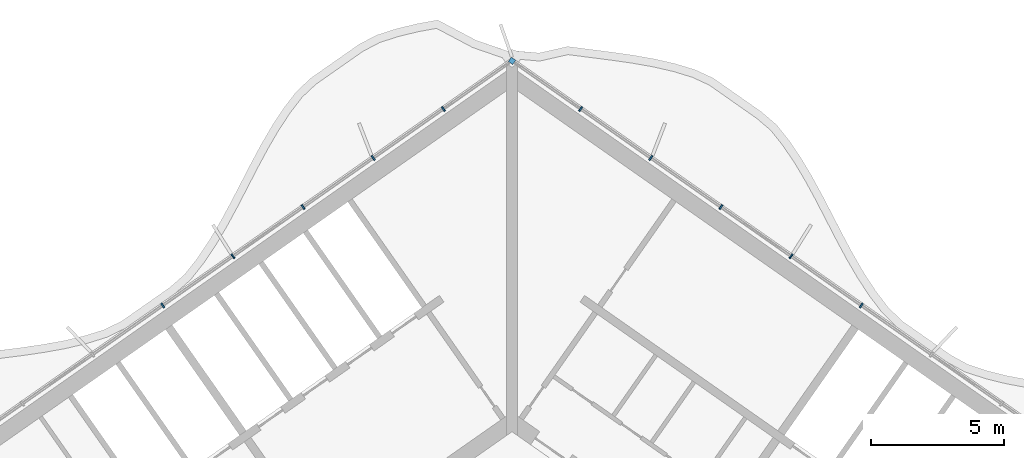
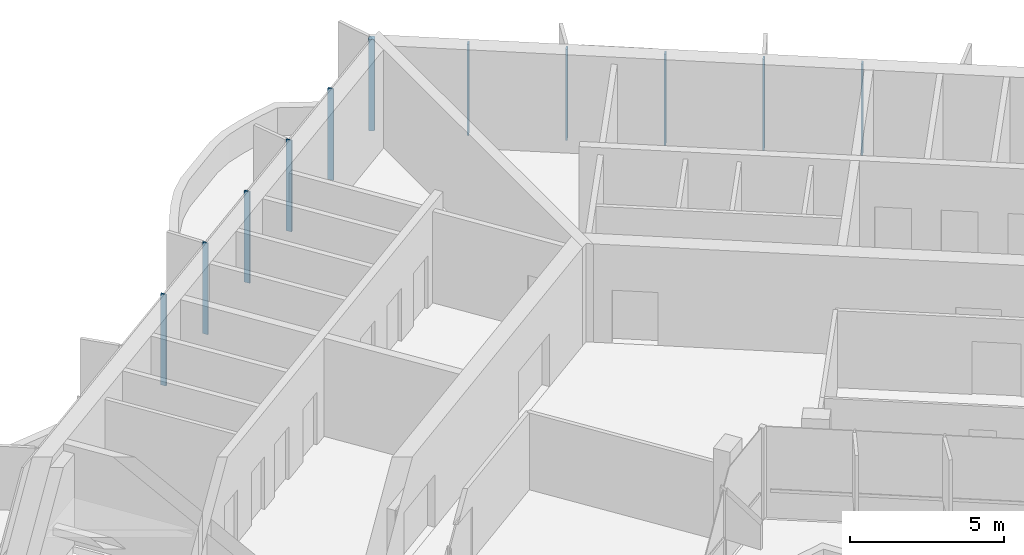
# One storey, part 6 of 18: 11 members, 1 element without a shape of its own.
"""IFC4 building model written with IfcOpenShell, lengths in metres."""

from ifc_helpers import new_model, si_unit, direction, frame, origin, origin_2d, place, context, subcontext, project, spatial, rectangle, extrude, material, material_profile, profile_set, type_object, element, aggregate, save


model = new_model("IFC4")

# Units and contexts
model_context = context("Model", 3, precision=1e-05, world=origin(), true_north=direction((0.0, 1.0)))
body_context = subcontext(model_context, "Body", "Model", "MODEL_VIEW")
ifc_project = project(units=[si_unit("LENGTHUNIT", "METRE"), si_unit("AREAUNIT", "SQUARE_METRE"), si_unit("VOLUMEUNIT", "CUBIC_METRE"), si_unit("PLANEANGLEUNIT", "RADIAN"), si_unit("MASSUNIT", "GRAM", prefix="KILO")], contexts=[model_context])

# Site, building, storey
site_placement = place(None, origin())
site = spatial("IfcSite", under=ifc_project, at=site_placement, CompositionType="ELEMENT")
building_placement = place(site_placement, origin())
building = spatial("IfcBuilding", under=site, at=building_placement, Name="Tel Ilan Convention Tower", CompositionType="ELEMENT")
storey_placement = place(building_placement, frame((0.0, 0.0, 268.300048828125)))
storey = spatial("IfcBuildingStorey", under=building, at=storey_placement, Name="L63", CompositionType="ELEMENT", Elevation=268.300048828125)

# Curtain wall, members
ifc_material_1 = material(Name="Aluminium, bronze anodised", Category="aluminium")
curtain_wall_type = type_object("IfcCurtainWallType", Name="CW2 STICK CURTAIN WALL, SPANDREL PANELS", PredefinedType="NOTDEFINED", material=ifc_material_1)
curtain_wall_placement = place(storey_placement, origin())
curtain_wall = element("IfcCurtainWall", 1, at=curtain_wall_placement, inside=storey, type_object=curtain_wall_type, Name="Curtain wall CW2-48.01", PredefinedType="NOTDEFINED")
ifc_material_2 = material(Name="Aluminium, bronze anodised", Category="aluminium")
ifc_material_profile_1 = material_profile(ifc_material_2, rectangle(XDim=0.199951171875, YDim=0.199951171875, at=origin_2d()), Name="CW CORNER MULLION 200x200")
ifc_profile_set_1 = profile_set([ifc_material_profile_1], Name="Aluminium, bronze anodised")
member_type_1 = type_object("IfcMemberType", Name="CW CORNER MULLION 200x200", PredefinedType="MULLION", material=ifc_profile_set_1)
member_1_placement = place(storey_placement, frame((0.0, 12.696044921875, 0.0), z_axis=(0.0, 0.0, 1.0), x_axis=(-0.819152044289, 0.573576436351, 0.0)))
member_1 = element("IfcMember", 2, at=member_1_placement, type_object=member_type_1, Name="Corner mullion", PredefinedType="MULLION", context=body_context, shape_type="SweptSolid", body=[
    extrude(rectangle(XDim=0.199951171875, YDim=0.199951171875, at=origin_2d()), origin(), (0.0, 0.0, 1.0), 3.619873046875),
])
ifc_material_3 = material(Name="Aluminium, bronze anodised", Category="aluminium")
ifc_material_profile_2 = material_profile(ifc_material_3, rectangle(XDim=0.06005859375, YDim=0.199951171875, at=origin_2d()), Name="CW MULLION 60x200")
ifc_profile_set_2 = profile_set([ifc_material_profile_2], Name="Aluminium, bronze anodised")
member_type_2 = type_object("IfcMemberType", Name="CW MULLION 60x200", PredefinedType="MULLION", material=ifc_profile_set_2)
member_2_placement = place(storey_placement, frame((13.105712890625, 3.519287109375, 0.0), z_axis=(0.0, 0.0, 1.0), x_axis=(-0.819152044289, 0.573576436351, 0.0)))
member_2 = element("IfcMember", 3, at=member_2_placement, type_object=member_type_2, Name="Mullion", PredefinedType="MULLION", context=body_context, shape_type="SweptSolid", body=[
    extrude(rectangle(XDim=0.06005859375, YDim=0.199951171875, at=origin_2d()), origin(), (0.0, 0.0, 1.0), 3.619873046875),
])
member_3_placement = place(storey_placement, frame((10.47314453125, 5.36279296875, 0.0), z_axis=(0.0, 0.0, 1.0), x_axis=(-0.819152044289, 0.573576436351, 0.0)))
member_3 = element("IfcMember", 4, at=member_3_placement, type_object=member_type_2, Name="Mullion", PredefinedType="MULLION", context=body_context, shape_type="SweptSolid", body=[
    extrude(rectangle(XDim=0.06005859375, YDim=0.199951171875, at=origin_2d()), origin(), (0.0, 0.0, 1.0), 3.619873046875),
])
member_4_placement = place(storey_placement, frame((7.840576171875, 7.2060546875, 0.0), z_axis=(0.0, 0.0, 1.0), x_axis=(-0.819152044289, 0.573576436351, 0.0)))
member_4 = element("IfcMember", 5, at=member_4_placement, type_object=member_type_2, Name="Mullion", PredefinedType="MULLION", context=body_context, shape_type="SweptSolid", body=[
    extrude(rectangle(XDim=0.06005859375, YDim=0.199951171875, at=origin_2d()), origin(), (0.0, 0.0, 1.0), 3.619873046875),
])
member_5_placement = place(storey_placement, frame((5.207763671875, 9.049560546875, 0.0), z_axis=(0.0, 0.0, 1.0), x_axis=(-0.819152044289, 0.573576436351, 0.0)))
member_5 = element("IfcMember", 6, at=member_5_placement, type_object=member_type_2, Name="Mullion", PredefinedType="MULLION", context=body_context, shape_type="SweptSolid", body=[
    extrude(rectangle(XDim=0.06005859375, YDim=0.199951171875, at=origin_2d()), origin(), (0.0, 0.0, 1.0), 3.619873046875),
])
member_6_placement = place(storey_placement, frame((2.5751953125, 10.892822265625, 0.0), z_axis=(0.0, 0.0, 1.0), x_axis=(-0.819152044289, 0.573576436351, 0.0)))
member_6 = element("IfcMember", 7, at=member_6_placement, type_object=member_type_2, Name="Mullion", PredefinedType="MULLION", context=body_context, shape_type="SweptSolid", body=[
    extrude(rectangle(XDim=0.06005859375, YDim=0.199951171875, at=origin_2d()), origin(), (0.0, 0.0, 1.0), 3.619873046875),
])
member_7_placement = place(storey_placement, frame((-2.5751953125, 10.892822265625, 0.0), z_axis=(0.0, 0.0, 1.0), x_axis=(-0.819152044289, -0.573576436351, 0.0)))
member_7 = element("IfcMember", 8, at=member_7_placement, type_object=member_type_2, Name="Mullion", PredefinedType="MULLION", context=body_context, shape_type="SweptSolid", body=[
    extrude(rectangle(XDim=0.06005859375, YDim=0.199951171875, at=origin_2d()), origin(), (0.0, 0.0, 1.0), 3.619873046875),
])
member_8_placement = place(storey_placement, frame((-5.207763671875, 9.049560546875, 0.0), z_axis=(0.0, 0.0, 1.0), x_axis=(-0.819152044289, -0.573576436351, 0.0)))
member_8 = element("IfcMember", 9, at=member_8_placement, type_object=member_type_2, Name="Mullion", PredefinedType="MULLION", context=body_context, shape_type="SweptSolid", body=[
    extrude(rectangle(XDim=0.06005859375, YDim=0.199951171875, at=origin_2d()), origin(), (0.0, 0.0, 1.0), 3.619873046875),
])
member_9_placement = place(storey_placement, frame((-7.840576171875, 7.2060546875, 0.0), z_axis=(0.0, 0.0, 1.0), x_axis=(-0.819152044289, -0.573576436351, 0.0)))
member_9 = element("IfcMember", 10, at=member_9_placement, type_object=member_type_2, Name="Mullion", PredefinedType="MULLION", context=body_context, shape_type="SweptSolid", body=[
    extrude(rectangle(XDim=0.06005859375, YDim=0.199951171875, at=origin_2d()), origin(), (0.0, 0.0, 1.0), 3.619873046875),
])
member_10_placement = place(storey_placement, frame((-10.47314453125, 5.36279296875, 0.0), z_axis=(0.0, 0.0, 1.0), x_axis=(-0.819152044289, -0.573576436351, 0.0)))
member_10 = element("IfcMember", 11, at=member_10_placement, type_object=member_type_2, Name="Mullion", PredefinedType="MULLION", context=body_context, shape_type="SweptSolid", body=[
    extrude(rectangle(XDim=0.06005859375, YDim=0.199951171875, at=origin_2d()), origin(), (0.0, 0.0, 1.0), 3.619873046875),
])
member_11_placement = place(storey_placement, frame((-13.105712890625, 3.519287109375, 0.0), z_axis=(0.0, 0.0, 1.0), x_axis=(-0.819152044289, -0.573576436351, 0.0)))
member_11 = element("IfcMember", 12, at=member_11_placement, type_object=member_type_2, Name="Mullion", PredefinedType="MULLION", context=body_context, shape_type="SweptSolid", body=[
    extrude(rectangle(XDim=0.06005859375, YDim=0.199951171875, at=origin_2d()), origin(), (0.0, 0.0, 1.0), 3.619873046875),
])
aggregate(curtain_wall, [member_2, member_3, member_4, member_5, member_6, member_1, member_7, member_8, member_9, member_10, member_11])

save(model, "model.ifc")
